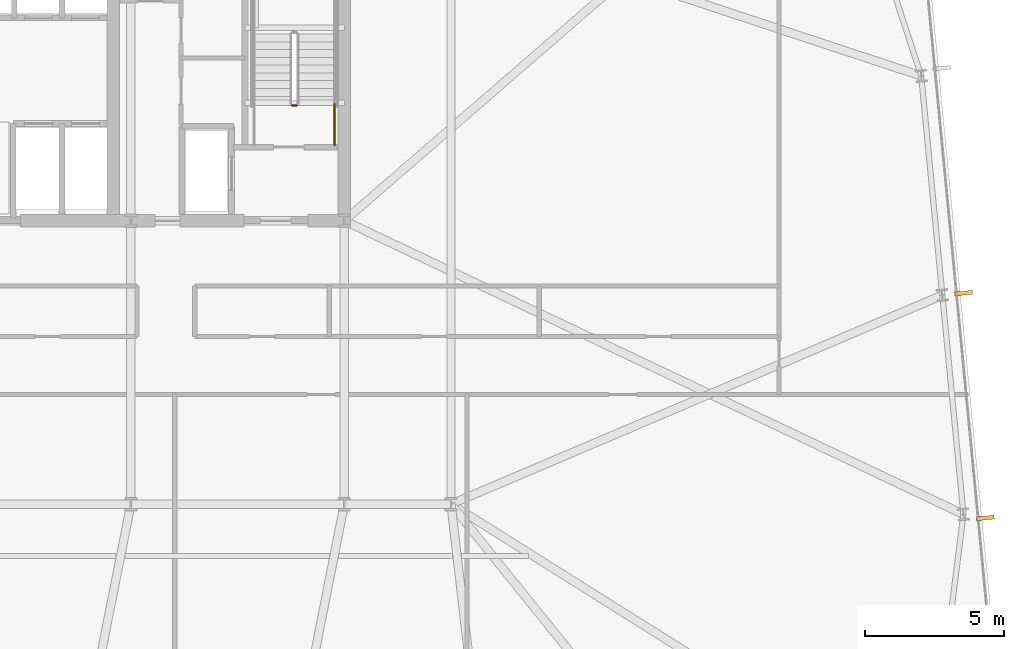
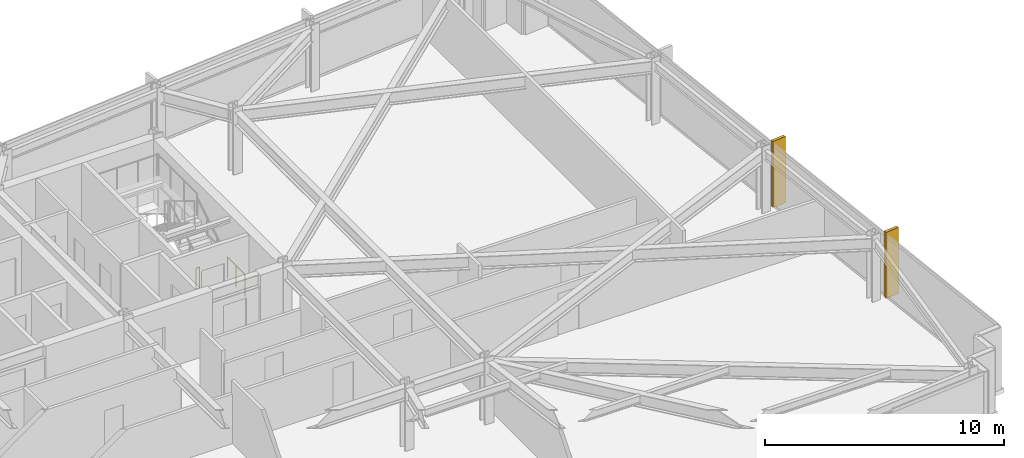
# One storey, part 30 of 32: 2 railings, 2 shading devices.
"""IFC4 building model written with IfcOpenShell, lengths in metres."""

from ifc_helpers import new_model, si_unit, direction, frame, origin, origin_2d, place, context, subcontext, project, spatial, rectangle, circle, extrude, material, layer, layer_set, type_object, element, save


model = new_model("IFC4")

# Units and contexts
model_context = context("Model", 3, precision=1e-05, world=origin(), true_north=direction((0.0, 1.0)))
body_context = subcontext(model_context, "Body", "Model", "MODEL_VIEW")
ifc_project = project(units=[si_unit("LENGTHUNIT", "METRE"), si_unit("AREAUNIT", "SQUARE_METRE"), si_unit("VOLUMEUNIT", "CUBIC_METRE"), si_unit("PLANEANGLEUNIT", "RADIAN"), si_unit("MASSUNIT", "GRAM", prefix="KILO")], contexts=[model_context])

# Site, building, storey
site_placement = place(None, origin())
site = spatial("IfcSite", under=ifc_project, at=site_placement, CompositionType="ELEMENT")
building_placement = place(site_placement, origin())
building = spatial("IfcBuilding", under=site, at=building_placement, Name="Yelkora Congress Tower", CompositionType="ELEMENT")
storey_placement = place(building_placement, frame((0.0, 0.0, 113.5)))
storey = spatial("IfcBuildingStorey", under=building, at=storey_placement, Name="L30", CompositionType="ELEMENT", Elevation=113.5)

# Railings
ifc_material_1 = material(Name="Painted galvanised steel stair well guard with vertical infill", Category="steel")
ifc_layer_1 = layer(ifc_material_1, 0.06005859375)
ifc_layer_set_1 = layer_set([ifc_layer_1], Name="Painted galvanised steel stair well guard with vertical infill")
railing_type = type_object("IfcRailingType", Name="RAIL-STAIR-GUARD-1120", PredefinedType="GUARDRAIL", material=ifc_layer_set_1)
railing_1_placement = place(storey_placement, frame((52.0400390625, 39.550048828125, 0.0)))
element("IfcRailing", 1, at=railing_1_placement, inside=storey, type_object=railing_type, Name="ST-02 L30 Stair Well Guardrail 7", PredefinedType="GUARDRAIL", context=body_context, shape_type="SweptSolid", body=[
    extrude(circle(Radius=0.02392578125, at=origin_2d()), frame((0.0, 0.0, 1.09619140625), z_axis=(-1.0, 0.0, 0.0), x_axis=(0.0, -1.0, 0.0)), (0.0, 0.0, 1.0), 0.16015625),
    extrude(circle(Radius=0.02099609375, at=origin_2d()), origin(), (0.0, 0.0, 1.0), 1.072021484375),
    extrude(circle(Radius=0.02099609375, at=origin_2d()), frame((-0.16015625, 0.0, 0.0)), (0.0, 0.0, 1.0), 1.072021484375),
])
railing_2_placement = place(storey_placement, frame((53.409912109375, 38.1201171875, 0.0)))
element("IfcRailing", 2, at=railing_2_placement, inside=storey, type_object=railing_type, Name="ST-02 L30 Stair Well Guardrail 8", PredefinedType="GUARDRAIL", context=body_context, shape_type="SweptSolid", body=[
    extrude(circle(Radius=0.02392578125, at=origin_2d()), frame((0.0, 0.0, 1.09619140625), z_axis=(0.0, 1.0, 0.0), x_axis=(-1.0, 0.0, 0.0)), (0.0, 0.0, 1.0), 1.47998046875),
    extrude(circle(Radius=0.02099609375, at=origin_2d()), origin(), (0.0, 0.0, 1.0), 1.072021484375),
    extrude(circle(Radius=0.02099609375, at=origin_2d()), frame((0.0, 0.739990234375, 0.0)), (0.0, 0.0, 1.0), 1.072021484375),
    extrude(circle(Radius=0.02099609375, at=origin_2d()), frame((0.0, 1.47998046875, 0.0)), (0.0, 0.0, 1.0), 1.072021484375),
])

# Shading devices
ifc_material_2 = material(Name="Champagne anodised aluminium", Category="aluminium")
ifc_layer_2 = layer(ifc_material_2, 3.39990234375)
ifc_layer_set_2 = layer_set([ifc_layer_2], Name="Champagne anodised aluminium")
shading_device_type = type_object("IfcShadingDeviceType", Name="SHD-FIN-ALU-640", PredefinedType="USERDEFINED", material=ifc_layer_set_2)
for number, where, z_axis, x_axis, name in (
    (3, (76.048095703125, 32.7958984375, -0.030029296875), (0.0, 0.0, 1.0), (0.09584575252, -0.995396198367, 0.0), "L30 Vertical Anodised Solar Fin 15-2"),
    (4, (76.827392578125, 24.703125, -0.030029296875), (0.0, 0.0, 1.0), (0.09584575252, -0.995396198367, 0.0), "L30 Vertical Anodised Solar Fin 15-3"),
):
    element("IfcShadingDevice", number, at=place(storey_placement, frame(where, z_axis=z_axis, x_axis=x_axis)), inside=storey, type_object=shading_device_type, Name=name, ObjectType="FIN", PredefinedType="USERDEFINED", context=body_context, shape_type="SweptSolid", body=[
        extrude(rectangle(XDim=0.139892578125, YDim=0.639892578125, at=origin_2d()), origin(), (0.0, 0.0, 1.0), 3.3798828125),
    ])

save(model, "model.ifc")
